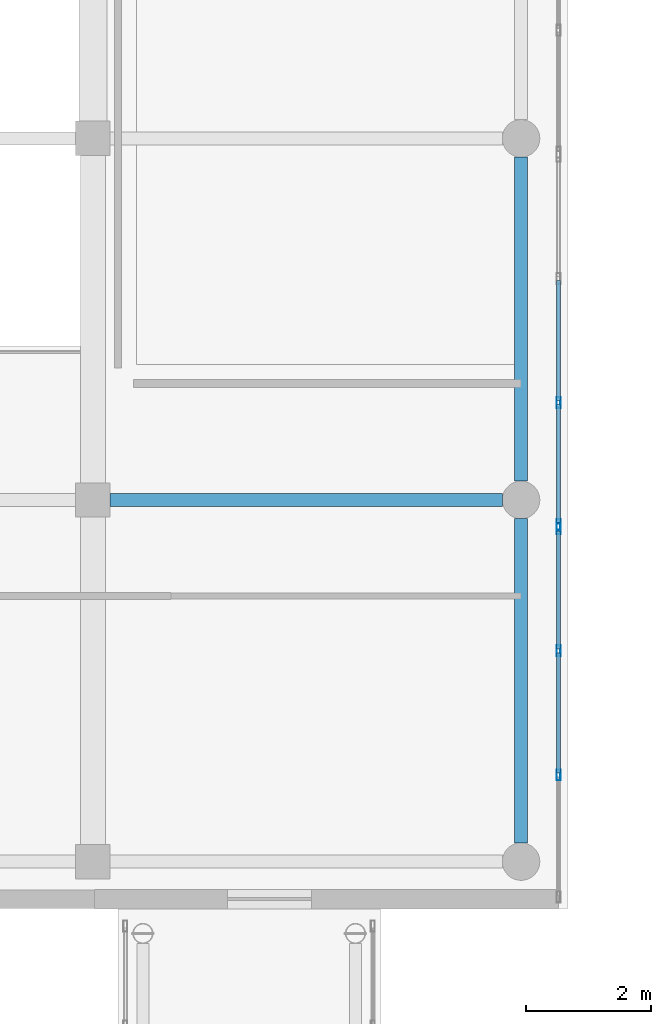
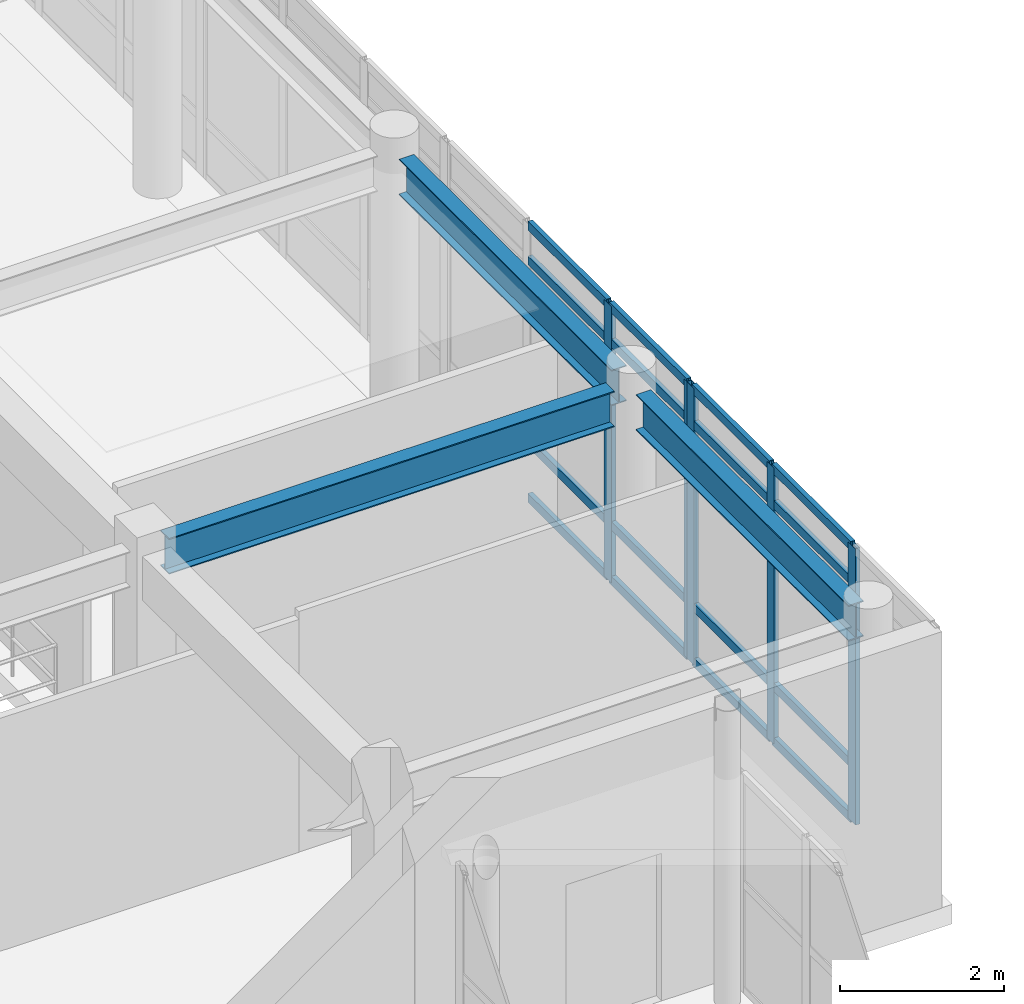
# One storey, part 31 of 142: 21 members, 3 beams, 2 elements without a shape of their own.
"""IFC4 building model written with IfcOpenShell, lengths in metres."""

import ifcopenshell
import ifcopenshell.guid

model = None  # the IFC model being written
_history = None  # IfcOwnerHistory: only IFC2X3 demands one
_inside = {}  # id of a spatial element -> (the spatial element, [elements in it])
_under = {}  # id of a project, library or spatial element -> (it, [spatial elements below it])
_declared = {}  # id of a project -> (the project, [libraries it declares])
_typed = {}  # id of a type object -> (the type object, [elements of that type])
_made_of = {}  # id of a material, layer set ... -> (it, [elements and type objects made of it])


def new_model(schema):
    """Start an empty IFC model of exactly this schema.

    Asked for "IFC4X3", IfcOpenShell would pick the latest addendum, in which some entities
    have other attributes; the version numbers below select the first issue.
    IFC2X3 requires an IfcOwnerHistory on every rooted entity: one is made here for all.
    """
    global model, _history
    if schema == "IFC4X3":
        model = ifcopenshell.file(schema_version=(4, 3, 0, 0))
    else:
        model = ifcopenshell.file(schema=schema)
    _inside.clear()
    _under.clear()
    _declared.clear()
    _typed.clear()
    _made_of.clear()
    _history = None
    if model.schema == "IFC2X3":
        org = make("IfcOrganization", Name="unknown")
        user = make(
            "IfcPersonAndOrganization",
            ThePerson=make("IfcPerson", FamilyName="unknown"),
            TheOrganization=org,
        )
        app = make(
            "IfcApplication",
            ApplicationDeveloper=org,
            Version="unknown",
            ApplicationFullName="unknown",
            ApplicationIdentifier="unknown",
        )
        _history = make(
            "IfcOwnerHistory",
            OwningUser=user,
            OwningApplication=app,
            ChangeAction="ADDED",
            CreationDate=0,
        )
    return model


def make(cls, **values):
    """One entity of the class cls with the attributes given. An attribute that is None is left unset."""
    return model.create_entity(
        cls, **{name: value for name, value in values.items() if value is not None}
    )


def rooted(cls, **values):
    """An entity with a GlobalId (a new one), such as an element, a storey or a relation."""
    return make(cls, GlobalId=ifcopenshell.guid.new(), OwnerHistory=_history, **values)


def si_unit(unit_type, name, prefix=None):
    """IfcSIUnit, for example si_unit("LENGTHUNIT", "METRE", prefix="MILLI")."""
    return make("IfcSIUnit", UnitType=unit_type, Prefix=prefix, Name=name)


def assignment(units):
    """IfcUnitAssignment: the units of a project."""
    return None if units is None else make("IfcUnitAssignment", Units=units)


def point(xyz):
    """IfcCartesianPoint."""
    return None if xyz is None else make("IfcCartesianPoint", Coordinates=xyz)


def direction(xyz):
    """IfcDirection."""
    return None if xyz is None else make("IfcDirection", DirectionRatios=xyz)


def frame(location, z_axis=None, x_axis=None):
    """IfcAxis2Placement3D, a coordinate frame: its origin and axes. An axis left out is left unset."""
    return make(
        "IfcAxis2Placement3D",
        Location=point(location),
        Axis=direction(z_axis),
        RefDirection=direction(x_axis),
    )


def frame_2d(location, x_axis=None):
    """IfcAxis2Placement2D, a coordinate frame in the plane: its origin and x axis."""
    return make(
        "IfcAxis2Placement2D", Location=point(location), RefDirection=direction(x_axis)
    )


def origin():
    """The frame at (0, 0, 0) with its axes left unset."""
    return frame((0.0, 0.0, 0.0))


def origin_2d():
    """The frame at (0, 0) in the plane with its x axis left unset."""
    return frame_2d((0.0, 0.0))


def place(relative_to, where):
    """IfcLocalPlacement: puts the frame where relative to a parent placement (None: the world)."""
    return make(
        "IfcLocalPlacement", PlacementRelTo=relative_to, RelativePlacement=where
    )


def context(
    kind, dimensions, precision=None, world=None, true_north=None, identifier=None
):
    """IfcGeometricRepresentationContext, for example the 3D "Model" context."""
    return make(
        "IfcGeometricRepresentationContext",
        ContextIdentifier=identifier,
        ContextType=kind,
        CoordinateSpaceDimension=dimensions,
        Precision=precision,
        WorldCoordinateSystem=world,
        TrueNorth=true_north,
    )


def subcontext(parent, identifier, kind, view, scale=None):
    """IfcGeometricRepresentationSubContext, for example "Body" below "Model"."""
    return make(
        "IfcGeometricRepresentationSubContext",
        ContextIdentifier=identifier,
        ContextType=kind,
        ParentContext=parent,
        TargetScale=scale,
        TargetView=view,
    )


def project(units=None, contexts=None):
    """IfcProject with its units and contexts."""
    return rooted(
        "IfcProject",
        Name="project",
        RepresentationContexts=contexts,
        UnitsInContext=assignment(units),
    )


def spatial(cls, under=None, at=None, **own):
    """A site, building, storey or space (cls), placed at a placement, below another one or the project."""
    s = rooted(cls, ObjectPlacement=at, **own)
    if under is not None:
        _under.setdefault(under.id(), (under, []))[1].append(s)
    return s


def profile(cls, at=None, kind="AREA", **sizes):
    """A parametric profile (cls). Its sizes go by their IFC names, for example OverallWidth=200.0."""
    return make(cls, ProfileType=kind, Position=at, **sizes)


def hollow_rectangle(**sizes):
    """IfcRectangleHollowProfileDef."""
    return profile("IfcRectangleHollowProfileDef", **sizes)


def i_section(**sizes):
    """IfcIShapeProfileDef."""
    return profile("IfcIShapeProfileDef", **sizes)


def extrude(swept, where, along, depth):
    """IfcExtrudedAreaSolid: the profile swept, set in the frame where, extruded along a direction by depth."""
    return make(
        "IfcExtrudedAreaSolid",
        SweptArea=swept,
        Position=where,
        ExtrudedDirection=direction(along),
        Depth=depth,
    )


def shape(context_of_items, identifier, shape_type, items):
    """IfcShapeRepresentation: the items that make up one representation, for example the "Body"."""
    return make(
        "IfcShapeRepresentation",
        ContextOfItems=context_of_items,
        RepresentationIdentifier=identifier,
        RepresentationType=shape_type,
        Items=items,
    )


def material(Name=None, Category=None):
    """IfcMaterial."""
    return make("IfcMaterial", Name=Name, Category=Category)


def layer(
    of_material, thickness, ventilated=None, Name=None, Category=None, Priority=None
):
    """IfcMaterialLayer: one layer of a wall or slab, of a material (None: an air gap)."""
    return make(
        "IfcMaterialLayer",
        Material=of_material,
        LayerThickness=thickness,
        IsVentilated=ventilated,
        Name=Name,
        Category=Category,
        Priority=Priority,
    )


def layer_set(layers, Name=None):
    """IfcMaterialLayerSet."""
    return make("IfcMaterialLayerSet", MaterialLayers=layers, LayerSetName=Name)


def material_profile(
    of_material, cross_section, Name=None, Category=None, Priority=None
):
    """IfcMaterialProfile: a cross section and its material."""
    return make(
        "IfcMaterialProfile",
        Name=Name,
        Material=of_material,
        Profile=cross_section,
        Priority=Priority,
        Category=Category,
    )


def profile_set(profiles, Name=None, composite=None):
    """IfcMaterialProfileSet."""
    return make(
        "IfcMaterialProfileSet",
        Name=Name,
        MaterialProfiles=profiles,
        CompositeProfile=composite,
    )


def made_of(thing, what):
    """Note that an element or type object is made of a material, layer set ...; save() writes the relation."""
    if what is not None:
        _made_of.setdefault(what.id(), (what, []))[1].append(thing)
    return thing


def type_object(cls, material=None, **own):
    """A type object (cls), such as IfcWallType, which elements share."""
    return made_of(rooted(cls, **own), material)


def element(
    cls,
    number,
    at=None,
    inside=None,
    cuts=None,
    type_object=None,
    material=None,
    context=None,
    identifier="Body",
    shape_type=None,
    held_by="IfcProductDefinitionShape",
    body=None,
    shapes=None,
    **own,
):
    """One element of the class cls, such as IfcWall. Its Tag is "e" and its number.

    at: its placement. inside: the storey or other place that contains it. cuts: it is an
    opening in that element (IfcRelVoidsElement). A single representation is given by context,
    identifier, shape_type and body (its items); several are given by shapes. held_by: the class
    of the entity that holds the representations. save() writes the other relations.
    """
    e = rooted(cls, Tag="e%d" % number, ObjectPlacement=at, **own)
    if body is not None:
        shapes = [shape(context, identifier, shape_type, body)]
    if shapes is not None:
        e.Representation = make(held_by, Representations=shapes)
    if inside is not None:
        _inside.setdefault(inside.id(), (inside, []))[1].append(e)
    if cuts is not None:
        rooted(
            "IfcRelVoidsElement", RelatingBuildingElement=cuts, RelatedOpeningElement=e
        )
    if type_object is not None:
        _typed.setdefault(type_object.id(), (type_object, []))[1].append(e)
    return made_of(e, material)


def aggregate(whole, parts):
    """IfcRelAggregates: a whole, such as a stair, and the parts it consists of."""
    return rooted("IfcRelAggregates", RelatingObject=whole, RelatedObjects=parts)


def save(model, path):
    """Write the relations noted so far, then the file.

    IfcRelAggregates (storeys below a building ...), IfcRelContainedInSpatialStructure (elements
    in a storey), IfcRelDefinesByType, IfcRelAssociatesMaterial and IfcRelDeclares: one each for
    every whole, place, type object, material and project.
    """
    for whole, parts in _under.values():
        aggregate(whole, parts)
    for where, things in _inside.values():
        rooted(
            "IfcRelContainedInSpatialStructure",
            RelatedElements=things,
            RelatingStructure=where,
        )
    for kind, things in _typed.values():
        rooted("IfcRelDefinesByType", RelatedObjects=things, RelatingType=kind)
    for what, things in _made_of.values():
        rooted("IfcRelAssociatesMaterial", RelatedObjects=things, RelatingMaterial=what)
    for by, libraries in _declared.values():
        rooted("IfcRelDeclares", RelatingContext=by, RelatedDefinitions=libraries)
    model.write(path)


model = new_model("IFC4")

# Units and contexts
model_context = context("Model", 3, precision=1e-05, world=origin(), true_north=direction((0.0, 1.0)))
body_context = subcontext(model_context, "Body", "Model", "MODEL_VIEW")
ifc_project = project(units=[si_unit("LENGTHUNIT", "METRE"), si_unit("AREAUNIT", "SQUARE_METRE"), si_unit("VOLUMEUNIT", "CUBIC_METRE"), si_unit("PLANEANGLEUNIT", "RADIAN"), si_unit("MASSUNIT", "GRAM", prefix="KILO")], contexts=[model_context])

# Site, building, storey
site_placement = place(None, origin())
site = spatial("IfcSite", under=ifc_project, at=site_placement, CompositionType="ELEMENT")
building_placement = place(site_placement, origin())
building = spatial("IfcBuilding", under=site, at=building_placement, Name="Valcora Specialist Clinic", CompositionType="ELEMENT")
storey_placement = place(building_placement, frame((0.0, 0.0, 5.10009765625)))
storey = spatial("IfcBuildingStorey", under=building, at=storey_placement, Name="L01", CompositionType="ELEMENT", Elevation=5.10009765625)

# Beams
ifc_material_1 = material(Name="Steel ASTM A992 Grade 50", Category="steel")
ifc_material_profile_1 = material_profile(ifc_material_1, i_section(OverallWidth=0.208984375, OverallDepth=0.532958984375, WebThickness=0.010009765625, FlangeThickness=0.01611328125, at=origin_2d()), Name="ST-IR-530X210")
ifc_profile_set_1 = profile_set([ifc_material_profile_1], Name="Steel ASTM A992 Grade 50")
beam_type = type_object("IfcBeamType", Name="TY-BM-IR530", PredefinedType="SPANDREL", material=ifc_profile_set_1)
beam_1_placement = place(storey_placement, frame((22.675048828125, 44.535888671875, 3.849365234375), z_axis=(1.0, 0.0, 0.0), x_axis=(0.0, 1.0, 0.0)))
element("IfcBeam", 1, at=beam_1_placement, inside=storey, type_object=beam_type, Name="Beam BM-L01-0140", PredefinedType="SPANDREL", context=body_context, shape_type="SweptSolid", body=[
    extrude(i_section(OverallWidth=0.208984375, OverallDepth=0.532958984375, WebThickness=0.010009765625, FlangeThickness=0.01611328125, at=origin_2d()), origin(), (0.0, 0.0, 1.0), 6.27490234375),
])
beam_2_placement = place(storey_placement, frame((29.25, 39.050048828125, 3.849365234375), z_axis=(0.0, 1.0, 0.0), x_axis=(-1.0, 0.0, 0.0)))
element("IfcBeam", 2, at=beam_2_placement, inside=storey, type_object=beam_type, Name="Beam BM-L01-0182", PredefinedType="SPANDREL", context=body_context, shape_type="SweptSolid", body=[
    extrude(i_section(OverallWidth=0.208984375, OverallDepth=0.532958984375, WebThickness=0.010009765625, FlangeThickness=0.01611328125, at=origin_2d()), origin(), (0.0, 0.0, 1.0), 5.18603515625),
])
beam_3_placement = place(storey_placement, frame((29.25, 44.8359375, 3.849365234375), z_axis=(0.0, 1.0, 0.0), x_axis=(-1.0, 0.0, 0.0)))
element("IfcBeam", 3, at=beam_3_placement, inside=storey, type_object=beam_type, Name="Beam BM-L01-0183", PredefinedType="SPANDREL", context=body_context, shape_type="SweptSolid", body=[
    extrude(i_section(OverallWidth=0.208984375, OverallDepth=0.532958984375, WebThickness=0.010009765625, FlangeThickness=0.01611328125, at=origin_2d()), origin(), (0.0, 0.0, 1.0), 5.18505859375),
])

# Curtain wall, members
ifc_material_2 = material(Name="Anodized Bronze Aluminium 6063-T6", Category="aluminium")
ifc_layer = layer(ifc_material_2, 0.175048828125)
ifc_layer_set = layer_set([ifc_layer], Name="Anodized Bronze Aluminium 6063-T6")
curtain_wall_type = type_object("IfcCurtainWallType", Name="TY-CW-HAL18", PredefinedType="NOTDEFINED", material=ifc_layer_set)
curtain_wall_1_placement = place(storey_placement, origin())
curtain_wall_1 = element("IfcCurtainWall", 4, at=curtain_wall_1_placement, inside=storey, type_object=curtain_wall_type, Name="Curtain wall CW-L01-013", PredefinedType="NOTDEFINED")
ifc_material_profile_2 = material_profile(ifc_material_2, hollow_rectangle(XDim=0.06494140625, YDim=0.175048828125, WallThickness=0.00390625, at=origin_2d()), Name="AL-MUL-65X175")
ifc_profile_set_2 = profile_set([ifc_material_profile_2], Name="Anodized Bronze Aluminium 6063-T6")
member_type_1 = type_object("IfcMemberType", Name="TY-CWM-65X175", PredefinedType="MULLION", material=ifc_profile_set_2)
member_1_placement = place(storey_placement, frame((29.85009765625, 46.0927734375, 0.0), z_axis=(0.0, 0.0, 1.0), x_axis=(1.0, 0.0, 0.0)))
member_1 = element("IfcMember", 5, at=member_1_placement, type_object=member_type_1, Name="CW-HAL-18 mullion 3", PredefinedType="MULLION", context=body_context, shape_type="SweptSolid", body=[
    extrude(hollow_rectangle(XDim=0.06494140625, YDim=0.175048828125, WallThickness=0.00390625, at=origin_2d()), origin(), (0.0, 0.0, 1.0), 4.119873046875),
])
member_2_placement = place(storey_placement, frame((29.85009765625, 44.1396484375, 0.0), z_axis=(0.0, 0.0, 1.0), x_axis=(1.0, 0.0, 0.0)))
member_2 = element("IfcMember", 6, at=member_2_placement, type_object=member_type_1, Name="CW-HAL-18 mullion 4", PredefinedType="MULLION", context=body_context, shape_type="SweptSolid", body=[
    extrude(hollow_rectangle(XDim=0.06494140625, YDim=0.175048828125, WallThickness=0.00390625, at=origin_2d()), origin(), (0.0, 0.0, 1.0), 4.119873046875),
])

curtain_wall_2_placement = place(storey_placement, origin())
curtain_wall_2 = element("IfcCurtainWall", 7, at=curtain_wall_2_placement, inside=storey, type_object=curtain_wall_type, Name="Curtain wall CW-L01-014", PredefinedType="NOTDEFINED")
member_3_placement = place(storey_placement, frame((29.85009765625, 44.07470703125, 0.0), z_axis=(0.0, 0.0, 1.0), x_axis=(1.0, 0.0, 0.0)))
member_3 = element("IfcMember", 8, at=member_3_placement, type_object=member_type_1, Name="CW-HAL-18 mullion 1", PredefinedType="MULLION", context=body_context, shape_type="SweptSolid", body=[
    extrude(hollow_rectangle(XDim=0.06494140625, YDim=0.175048828125, WallThickness=0.00390625, at=origin_2d()), origin(), (0.0, 0.0, 1.0), 4.119873046875),
])
member_4_placement = place(storey_placement, frame((29.85009765625, 42.121337890625, 0.0), z_axis=(0.0, 0.0, 1.0), x_axis=(1.0, 0.0, 0.0)))
member_4 = element("IfcMember", 9, at=member_4_placement, type_object=member_type_1, Name="CW-HAL-18 mullion 2", PredefinedType="MULLION", context=body_context, shape_type="SweptSolid", body=[
    extrude(hollow_rectangle(XDim=0.06494140625, YDim=0.175048828125, WallThickness=0.00390625, at=origin_2d()), origin(), (0.0, 0.0, 1.0), 4.119873046875),
])
member_5_placement = place(storey_placement, frame((29.85009765625, 40.1357421875, 0.0), z_axis=(0.0, 0.0, 1.0), x_axis=(1.0, 0.0, 0.0)))
member_5 = element("IfcMember", 10, at=member_5_placement, type_object=member_type_1, Name="CW-HAL-18 mullion 3", PredefinedType="MULLION", context=body_context, shape_type="SweptSolid", body=[
    extrude(hollow_rectangle(XDim=0.06494140625, YDim=0.175048828125, WallThickness=0.00390625, at=origin_2d()), origin(), (0.0, 0.0, 1.0), 4.119873046875),
])

# Member
ifc_material_profile_3 = material_profile(ifc_material_2, hollow_rectangle(XDim=0.06494140625, YDim=0.1298828125, WallThickness=0.00390625, at=origin_2d()), Name="AL-TRN-65X130")
ifc_profile_set_3 = profile_set([ifc_material_profile_3], Name="Anodized Bronze Aluminium 6063-T6")
member_type_2 = type_object("IfcMemberType", Name="TY-CWT-65X130", PredefinedType="USERDEFINED", material=ifc_profile_set_3)
member_6_placement = place(storey_placement, frame((29.85009765625, 48.046142578125, 0.032470703125), z_axis=(0.0, -1.0, 0.0), x_axis=(1.0, 0.0, 0.0)))
member_6 = element("IfcMember", 11, at=member_6_placement, type_object=member_type_2, Name="CW-HAL-18 transom 2.1", ObjectType="TRANSOM", PredefinedType="USERDEFINED", context=body_context, shape_type="SweptSolid", body=[
    extrude(hollow_rectangle(XDim=0.06494140625, YDim=0.1298828125, WallThickness=0.00390625, at=origin_2d()), origin(), (0.0, 0.0, 1.0), 1.9208984375),
])

member_7_placement = place(storey_placement, frame((29.85009765625, 48.046142578125, 0.849853515625), z_axis=(0.0, -1.0, 0.0), x_axis=(1.0, 0.0, 0.0)))
member_7 = element("IfcMember", 12, at=member_7_placement, type_object=member_type_2, Name="CW-HAL-18 transom 2.2", ObjectType="TRANSOM", PredefinedType="USERDEFINED", context=body_context, shape_type="SweptSolid", body=[
    extrude(hollow_rectangle(XDim=0.06494140625, YDim=0.1298828125, WallThickness=0.00390625, at=origin_2d()), origin(), (0.0, 0.0, 1.0), 1.9208984375),
])

member_8_placement = place(storey_placement, frame((29.85009765625, 48.046142578125, 3.56982421875), z_axis=(0.0, -1.0, 0.0), x_axis=(1.0, 0.0, 0.0)))
member_8 = element("IfcMember", 13, at=member_8_placement, type_object=member_type_2, Name="CW-HAL-18 transom 2.3", ObjectType="TRANSOM", PredefinedType="USERDEFINED", context=body_context, shape_type="SweptSolid", body=[
    extrude(hollow_rectangle(XDim=0.06494140625, YDim=0.1298828125, WallThickness=0.00390625, at=origin_2d()), origin(), (0.0, 0.0, 1.0), 1.9208984375),
])

member_9_placement = place(storey_placement, frame((29.85009765625, 48.046142578125, 4.08740234375), z_axis=(0.0, -1.0, 0.0), x_axis=(1.0, 0.0, 0.0)))
member_9 = element("IfcMember", 14, at=member_9_placement, type_object=member_type_2, Name="CW-HAL-18 transom 2.4", ObjectType="TRANSOM", PredefinedType="USERDEFINED", context=body_context, shape_type="SweptSolid", body=[
    extrude(hollow_rectangle(XDim=0.06494140625, YDim=0.1298828125, WallThickness=0.00390625, at=origin_2d()), origin(), (0.0, 0.0, 1.0), 1.9208984375),
])

member_10_placement = place(storey_placement, frame((29.85009765625, 46.060302734375, 0.032470703125), z_axis=(0.0, -1.0, 0.0), x_axis=(1.0, 0.0, 0.0)))
member_10 = element("IfcMember", 15, at=member_10_placement, type_object=member_type_2, Name="CW-HAL-18 transom 3.1", ObjectType="TRANSOM", PredefinedType="USERDEFINED", context=body_context, shape_type="SweptSolid", body=[
    extrude(hollow_rectangle(XDim=0.06494140625, YDim=0.1298828125, WallThickness=0.00390625, at=origin_2d()), origin(), (0.0, 0.0, 1.0), 1.88818359375),
])

member_11_placement = place(storey_placement, frame((29.85009765625, 46.060302734375, 0.849853515625), z_axis=(0.0, -1.0, 0.0), x_axis=(1.0, 0.0, 0.0)))
member_11 = element("IfcMember", 16, at=member_11_placement, type_object=member_type_2, Name="CW-HAL-18 transom 3.2", ObjectType="TRANSOM", PredefinedType="USERDEFINED", context=body_context, shape_type="SweptSolid", body=[
    extrude(hollow_rectangle(XDim=0.06494140625, YDim=0.1298828125, WallThickness=0.00390625, at=origin_2d()), origin(), (0.0, 0.0, 1.0), 1.88818359375),
])

member_12_placement = place(storey_placement, frame((29.85009765625, 46.060302734375, 3.56982421875), z_axis=(0.0, -1.0, 0.0), x_axis=(1.0, 0.0, 0.0)))
member_12 = element("IfcMember", 17, at=member_12_placement, type_object=member_type_2, Name="CW-HAL-18 transom 3.3", ObjectType="TRANSOM", PredefinedType="USERDEFINED", context=body_context, shape_type="SweptSolid", body=[
    extrude(hollow_rectangle(XDim=0.06494140625, YDim=0.1298828125, WallThickness=0.00390625, at=origin_2d()), origin(), (0.0, 0.0, 1.0), 1.88818359375),
])

member_13_placement = place(storey_placement, frame((29.85009765625, 46.060302734375, 4.08740234375), z_axis=(0.0, -1.0, 0.0), x_axis=(1.0, 0.0, 0.0)))
member_13 = element("IfcMember", 18, at=member_13_placement, type_object=member_type_2, Name="CW-HAL-18 transom 3.4", ObjectType="TRANSOM", PredefinedType="USERDEFINED", context=body_context, shape_type="SweptSolid", body=[
    extrude(hollow_rectangle(XDim=0.06494140625, YDim=0.1298828125, WallThickness=0.00390625, at=origin_2d()), origin(), (0.0, 0.0, 1.0), 1.88818359375),
])

aggregate(curtain_wall_1, [member_1, member_2, member_6, member_7, member_8, member_9, member_10, member_11, member_12, member_13])

member_14_placement = place(storey_placement, frame((29.85009765625, 44.0419921875, 0.032470703125), z_axis=(0.0, -1.0, 0.0), x_axis=(1.0, 0.0, 0.0)))
member_14 = element("IfcMember", 19, at=member_14_placement, type_object=member_type_2, Name="CW-HAL-18 transom 1.1", ObjectType="TRANSOM", PredefinedType="USERDEFINED", context=body_context, shape_type="SweptSolid", body=[
    extrude(hollow_rectangle(XDim=0.06494140625, YDim=0.1298828125, WallThickness=0.00390625, at=origin_2d()), origin(), (0.0, 0.0, 1.0), 1.88818359375),
])

member_15_placement = place(storey_placement, frame((29.85009765625, 44.0419921875, 0.849853515625), z_axis=(0.0, -1.0, 0.0), x_axis=(1.0, 0.0, 0.0)))
member_15 = element("IfcMember", 20, at=member_15_placement, type_object=member_type_2, Name="CW-HAL-18 transom 1.2", ObjectType="TRANSOM", PredefinedType="USERDEFINED", context=body_context, shape_type="SweptSolid", body=[
    extrude(hollow_rectangle(XDim=0.06494140625, YDim=0.1298828125, WallThickness=0.00390625, at=origin_2d()), origin(), (0.0, 0.0, 1.0), 1.88818359375),
])

member_16_placement = place(storey_placement, frame((29.85009765625, 44.0419921875, 3.56982421875), z_axis=(0.0, -1.0, 0.0), x_axis=(1.0, 0.0, 0.0)))
member_16 = element("IfcMember", 21, at=member_16_placement, type_object=member_type_2, Name="CW-HAL-18 transom 1.3", ObjectType="TRANSOM", PredefinedType="USERDEFINED", context=body_context, shape_type="SweptSolid", body=[
    extrude(hollow_rectangle(XDim=0.06494140625, YDim=0.1298828125, WallThickness=0.00390625, at=origin_2d()), origin(), (0.0, 0.0, 1.0), 1.88818359375),
])

member_17_placement = place(storey_placement, frame((29.85009765625, 44.0419921875, 4.08740234375), z_axis=(0.0, -1.0, 0.0), x_axis=(1.0, 0.0, 0.0)))
member_17 = element("IfcMember", 22, at=member_17_placement, type_object=member_type_2, Name="CW-HAL-18 transom 1.4", ObjectType="TRANSOM", PredefinedType="USERDEFINED", context=body_context, shape_type="SweptSolid", body=[
    extrude(hollow_rectangle(XDim=0.06494140625, YDim=0.1298828125, WallThickness=0.00390625, at=origin_2d()), origin(), (0.0, 0.0, 1.0), 1.88818359375),
])

member_18_placement = place(storey_placement, frame((29.85009765625, 42.0888671875, 0.032470703125), z_axis=(0.0, -1.0, 0.0), x_axis=(1.0, 0.0, 0.0)))
member_18 = element("IfcMember", 23, at=member_18_placement, type_object=member_type_2, Name="CW-HAL-18 transom 2.1", ObjectType="TRANSOM", PredefinedType="USERDEFINED", context=body_context, shape_type="SweptSolid", body=[
    extrude(hollow_rectangle(XDim=0.06494140625, YDim=0.1298828125, WallThickness=0.00390625, at=origin_2d()), origin(), (0.0, 0.0, 1.0), 1.920654296875),
])

member_19_placement = place(storey_placement, frame((29.85009765625, 42.0888671875, 0.849853515625), z_axis=(0.0, -1.0, 0.0), x_axis=(1.0, 0.0, 0.0)))
member_19 = element("IfcMember", 24, at=member_19_placement, type_object=member_type_2, Name="CW-HAL-18 transom 2.2", ObjectType="TRANSOM", PredefinedType="USERDEFINED", context=body_context, shape_type="SweptSolid", body=[
    extrude(hollow_rectangle(XDim=0.06494140625, YDim=0.1298828125, WallThickness=0.00390625, at=origin_2d()), origin(), (0.0, 0.0, 1.0), 1.920654296875),
])

member_20_placement = place(storey_placement, frame((29.85009765625, 42.0888671875, 3.56982421875), z_axis=(0.0, -1.0, 0.0), x_axis=(1.0, 0.0, 0.0)))
member_20 = element("IfcMember", 25, at=member_20_placement, type_object=member_type_2, Name="CW-HAL-18 transom 2.3", ObjectType="TRANSOM", PredefinedType="USERDEFINED", context=body_context, shape_type="SweptSolid", body=[
    extrude(hollow_rectangle(XDim=0.06494140625, YDim=0.1298828125, WallThickness=0.00390625, at=origin_2d()), origin(), (0.0, 0.0, 1.0), 1.920654296875),
])

member_21_placement = place(storey_placement, frame((29.85009765625, 42.0888671875, 4.08740234375), z_axis=(0.0, -1.0, 0.0), x_axis=(1.0, 0.0, 0.0)))
member_21 = element("IfcMember", 26, at=member_21_placement, type_object=member_type_2, Name="CW-HAL-18 transom 2.4", ObjectType="TRANSOM", PredefinedType="USERDEFINED", context=body_context, shape_type="SweptSolid", body=[
    extrude(hollow_rectangle(XDim=0.06494140625, YDim=0.1298828125, WallThickness=0.00390625, at=origin_2d()), origin(), (0.0, 0.0, 1.0), 1.920654296875),
])

aggregate(curtain_wall_2, [member_3, member_4, member_5, member_14, member_15, member_16, member_17, member_18, member_19, member_20, member_21])

save(model, "model.ifc")
